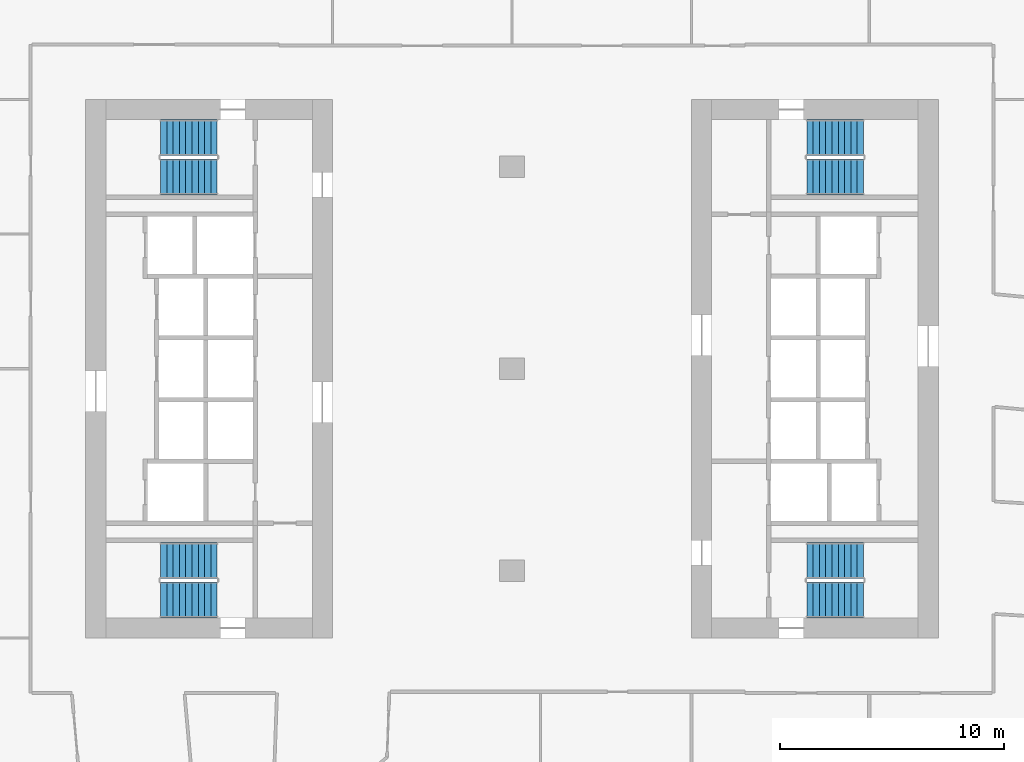
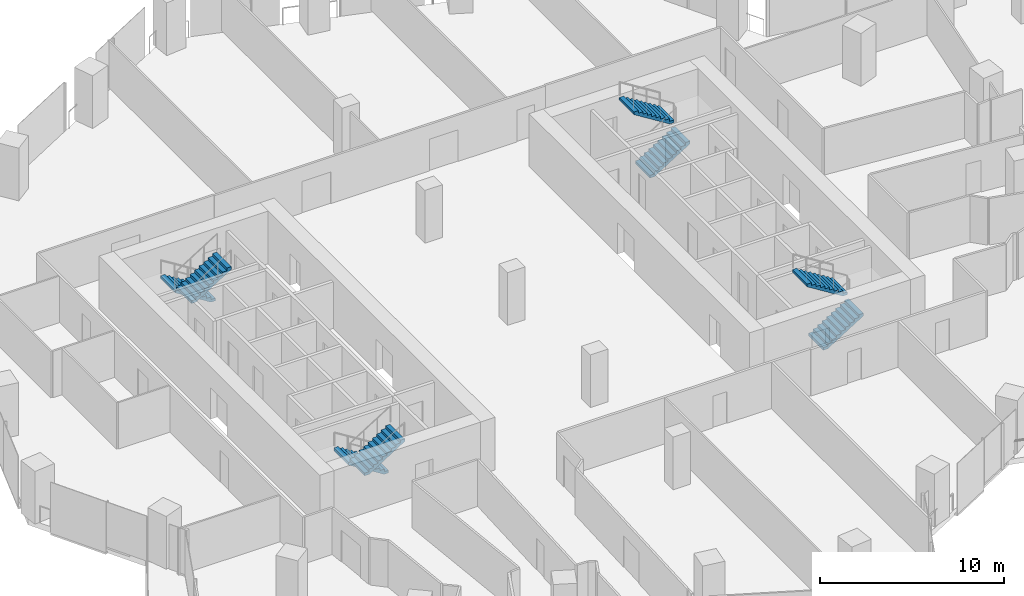
# One storey, part 28 of 32: 8 stair flights, 4 elements without a shape of their own.
"""IFC4 building model written with IfcOpenShell, lengths in metres."""

from ifc_helpers import new_model, si_unit, direction, frame, origin, place, context, subcontext, project, spatial, polyline, outline, extrude, material, type_object, element, aggregate, save


model = new_model("IFC4")

# Units and contexts
model_context = context("Model", 3, precision=1e-05, world=origin(), true_north=direction((0.0, 1.0)))
body_context = subcontext(model_context, "Body", "Model", "MODEL_VIEW")
ifc_project = project(units=[si_unit("LENGTHUNIT", "METRE"), si_unit("AREAUNIT", "SQUARE_METRE"), si_unit("VOLUMEUNIT", "CUBIC_METRE"), si_unit("PLANEANGLEUNIT", "RADIAN"), si_unit("MASSUNIT", "GRAM", prefix="KILO")], contexts=[model_context])

# Site, building, storey
site_placement = place(None, origin())
site = spatial("IfcSite", under=ifc_project, at=site_placement, CompositionType="ELEMENT")
building_placement = place(site_placement, origin())
building = spatial("IfcBuilding", under=site, at=building_placement, Name="Orlundy Tower", CompositionType="ELEMENT")
storey_placement = place(building_placement, frame((0.0, 0.0, 123.699951171875)))
storey = spatial("IfcBuildingStorey", under=building, at=storey_placement, Name="L31", CompositionType="ELEMENT", Elevation=123.699951171875)

# Stair, stair flights
ifc_material_1 = material(Name="Concrete C50/60", Category="concrete")
stair_type = type_object("IfcStairType", Name="Exit Stair 20 risers", PredefinedType="HALF_TURN_STAIR", material=ifc_material_1)
stair_1_placement = place(storey_placement, origin())
stair_1 = element("IfcStair", 1, at=stair_1_placement, inside=storey, type_object=stair_type, Name="L31 Exit Stair ST-W1", PredefinedType="HALF_TURN_STAIR")
ifc_material_2 = material(Name="Concrete C50/60", Category="concrete")
stair_flight_type = type_object("IfcStairFlightType", Name="Stair Flight 10 risers", PredefinedType="STRAIGHT", material=ifc_material_2)
stair_flight_1_placement = place(storey_placement, frame((-13.139892578125, 10.300048828125, 0.0), z_axis=(0.0, 0.0, 1.0), x_axis=(-1.0, 0.0, 0.0)))
stair_flight_1 = element("IfcStairFlight", 2, at=stair_flight_1_placement, type_object=stair_flight_type, Name="ST-W1 flight 1", NumberOfRisers=10, NumberOfTreads=9, PredefinedType="STRAIGHT", RiserHeight=0.175, TreadLength=0.28, context=body_context, shape_type="SweptSolid", body=[
    extrude(outline(polyline([(0.0, 0.0), (0.0, 0.175048828125), (0.280029296875, 0.175048828125), (0.280029296875, 0.35009765625), (0.56005859375, 0.35009765625), (0.56005859375, 0.52490234375), (0.840087890625, 0.52490234375), (0.840087890625, 0.699951171875), (1.1201171875, 0.699951171875), (1.1201171875, 0.875), (1.39990234375, 0.875), (1.39990234375, 1.050048828125), (1.679931640625, 1.050048828125), (1.679931640625, 1.22509765625), (1.9599609375, 1.22509765625), (1.9599609375, 1.39990234375), (2.239990234375, 1.39990234375), (2.239990234375, 1.574951171875), (2.52001953125, 1.574951171875), (2.52001953125, 1.75), (2.52001953125, 1.398193359375), (0.28271484375, 0.0), (0.0, 0.0)])), frame((0.0, 0.800048828125, 0.0), z_axis=(0.0, -1.0, 0.0), x_axis=(1.0, 0.0, 0.0)), (0.0, 0.0, 1.0), 1.60009765625),
])
stair_flight_2_placement = place(storey_placement, frame((-15.659912109375, 8.550048828125, 1.75), z_axis=(0.0, 0.0, 1.0), x_axis=(1.0, 0.0, 0.0)))
stair_flight_2 = element("IfcStairFlight", 3, at=stair_flight_2_placement, type_object=stair_flight_type, Name="ST-W1 flight 2", NumberOfRisers=10, NumberOfTreads=9, PredefinedType="STRAIGHT", RiserHeight=0.175, TreadLength=0.28, context=body_context, shape_type="SweptSolid", body=[
    extrude(outline(polyline([(0.0, 0.0), (0.0, 0.175048828125), (0.280029296875, 0.175048828125), (0.280029296875, 0.35009765625), (0.56005859375, 0.35009765625), (0.56005859375, 0.52490234375), (0.840087890625, 0.52490234375), (0.840087890625, 0.699951171875), (1.1201171875, 0.699951171875), (1.1201171875, 0.875), (1.39990234375, 0.875), (1.39990234375, 1.050048828125), (1.679931640625, 1.050048828125), (1.679931640625, 1.22509765625), (1.9599609375, 1.22509765625), (1.9599609375, 1.39990234375), (2.239990234375, 1.39990234375), (2.239990234375, 1.574951171875), (2.52001953125, 1.574951171875), (2.52001953125, 1.75), (2.52001953125, 1.398193359375), (0.28271484375, 0.0), (0.0, 0.0)])), frame((0.0, 0.800048828125, 0.0), z_axis=(0.0, -1.0, 0.0), x_axis=(1.0, 0.0, 0.0)), (0.0, 0.0, 1.0), 1.60009765625),
])
aggregate(stair_1, [stair_flight_1, stair_flight_2])

stair_2_placement = place(storey_placement, origin())
stair_2 = element("IfcStair", 4, at=stair_2_placement, inside=storey, type_object=stair_type, Name="L31 Exit Stair ST-W2", PredefinedType="HALF_TURN_STAIR")
stair_flight_3_placement = place(storey_placement, frame((-13.139892578125, -8.550048828125, 0.0), z_axis=(0.0, 0.0, 1.0), x_axis=(-1.0, 0.0, 0.0)))
stair_flight_3 = element("IfcStairFlight", 5, at=stair_flight_3_placement, type_object=stair_flight_type, Name="ST-W2 flight 1", NumberOfRisers=10, NumberOfTreads=9, PredefinedType="STRAIGHT", RiserHeight=0.175, TreadLength=0.28, context=body_context, shape_type="SweptSolid", body=[
    extrude(outline(polyline([(0.0, 0.0), (0.0, 0.175048828125), (0.280029296875, 0.175048828125), (0.280029296875, 0.35009765625), (0.56005859375, 0.35009765625), (0.56005859375, 0.52490234375), (0.840087890625, 0.52490234375), (0.840087890625, 0.699951171875), (1.1201171875, 0.699951171875), (1.1201171875, 0.875), (1.39990234375, 0.875), (1.39990234375, 1.050048828125), (1.679931640625, 1.050048828125), (1.679931640625, 1.22509765625), (1.9599609375, 1.22509765625), (1.9599609375, 1.39990234375), (2.239990234375, 1.39990234375), (2.239990234375, 1.574951171875), (2.52001953125, 1.574951171875), (2.52001953125, 1.75), (2.52001953125, 1.398193359375), (0.28271484375, 0.0), (0.0, 0.0)])), frame((0.0, 0.800048828125, 0.0), z_axis=(0.0, -1.0, 0.0), x_axis=(1.0, 0.0, 0.0)), (0.0, 0.0, 1.0), 1.60009765625),
])
stair_flight_4_placement = place(storey_placement, frame((-15.659912109375, -10.300048828125, 1.75), z_axis=(0.0, 0.0, 1.0), x_axis=(1.0, 0.0, 0.0)))
stair_flight_4 = element("IfcStairFlight", 6, at=stair_flight_4_placement, type_object=stair_flight_type, Name="ST-W2 flight 2", NumberOfRisers=10, NumberOfTreads=9, PredefinedType="STRAIGHT", RiserHeight=0.175, TreadLength=0.28, context=body_context, shape_type="SweptSolid", body=[
    extrude(outline(polyline([(0.0, 0.0), (0.0, 0.175048828125), (0.280029296875, 0.175048828125), (0.280029296875, 0.35009765625), (0.56005859375, 0.35009765625), (0.56005859375, 0.52490234375), (0.840087890625, 0.52490234375), (0.840087890625, 0.699951171875), (1.1201171875, 0.699951171875), (1.1201171875, 0.875), (1.39990234375, 0.875), (1.39990234375, 1.050048828125), (1.679931640625, 1.050048828125), (1.679931640625, 1.22509765625), (1.9599609375, 1.22509765625), (1.9599609375, 1.39990234375), (2.239990234375, 1.39990234375), (2.239990234375, 1.574951171875), (2.52001953125, 1.574951171875), (2.52001953125, 1.75), (2.52001953125, 1.398193359375), (0.28271484375, 0.0), (0.0, 0.0)])), frame((0.0, 0.800048828125, 0.0), z_axis=(0.0, -1.0, 0.0), x_axis=(1.0, 0.0, 0.0)), (0.0, 0.0, 1.0), 1.60009765625),
])
aggregate(stair_2, [stair_flight_3, stair_flight_4])

stair_3_placement = place(storey_placement, origin())
stair_3 = element("IfcStair", 7, at=stair_3_placement, inside=storey, type_object=stair_type, Name="L31 Exit Stair ST-E1", PredefinedType="HALF_TURN_STAIR")
stair_flight_5_placement = place(storey_placement, frame((13.139892578125, -10.300048828125, 0.0), z_axis=(0.0, 0.0, 1.0), x_axis=(1.0, 0.0, 0.0)))
stair_flight_5 = element("IfcStairFlight", 8, at=stair_flight_5_placement, type_object=stair_flight_type, Name="ST-E1 flight 1", NumberOfRisers=10, NumberOfTreads=9, PredefinedType="STRAIGHT", RiserHeight=0.175, TreadLength=0.28, context=body_context, shape_type="SweptSolid", body=[
    extrude(outline(polyline([(0.0, 0.0), (0.0, 0.175048828125), (0.280029296875, 0.175048828125), (0.280029296875, 0.35009765625), (0.56005859375, 0.35009765625), (0.56005859375, 0.52490234375), (0.840087890625, 0.52490234375), (0.840087890625, 0.699951171875), (1.1201171875, 0.699951171875), (1.1201171875, 0.875), (1.39990234375, 0.875), (1.39990234375, 1.050048828125), (1.679931640625, 1.050048828125), (1.679931640625, 1.22509765625), (1.9599609375, 1.22509765625), (1.9599609375, 1.39990234375), (2.239990234375, 1.39990234375), (2.239990234375, 1.574951171875), (2.52001953125, 1.574951171875), (2.52001953125, 1.75), (2.52001953125, 1.398193359375), (0.28271484375, 0.0), (0.0, 0.0)])), frame((0.0, 0.800048828125, 0.0), z_axis=(0.0, -1.0, 0.0), x_axis=(1.0, 0.0, 0.0)), (0.0, 0.0, 1.0), 1.60009765625),
])
stair_flight_6_placement = place(storey_placement, frame((15.659912109375, -8.550048828125, 1.75), z_axis=(0.0, 0.0, 1.0), x_axis=(-1.0, 0.0, 0.0)))
stair_flight_6 = element("IfcStairFlight", 9, at=stair_flight_6_placement, type_object=stair_flight_type, Name="ST-E1 flight 2", NumberOfRisers=10, NumberOfTreads=9, PredefinedType="STRAIGHT", RiserHeight=0.175, TreadLength=0.28, context=body_context, shape_type="SweptSolid", body=[
    extrude(outline(polyline([(0.0, 0.0), (0.0, 0.175048828125), (0.280029296875, 0.175048828125), (0.280029296875, 0.35009765625), (0.56005859375, 0.35009765625), (0.56005859375, 0.52490234375), (0.840087890625, 0.52490234375), (0.840087890625, 0.699951171875), (1.1201171875, 0.699951171875), (1.1201171875, 0.875), (1.39990234375, 0.875), (1.39990234375, 1.050048828125), (1.679931640625, 1.050048828125), (1.679931640625, 1.22509765625), (1.9599609375, 1.22509765625), (1.9599609375, 1.39990234375), (2.239990234375, 1.39990234375), (2.239990234375, 1.574951171875), (2.52001953125, 1.574951171875), (2.52001953125, 1.75), (2.52001953125, 1.398193359375), (0.28271484375, 0.0), (0.0, 0.0)])), frame((0.0, 0.800048828125, 0.0), z_axis=(0.0, -1.0, 0.0), x_axis=(1.0, 0.0, 0.0)), (0.0, 0.0, 1.0), 1.60009765625),
])
aggregate(stair_3, [stair_flight_5, stair_flight_6])

stair_4_placement = place(storey_placement, origin())
stair_4 = element("IfcStair", 10, at=stair_4_placement, inside=storey, type_object=stair_type, Name="L31 Exit Stair ST-E2", PredefinedType="HALF_TURN_STAIR")
stair_flight_7_placement = place(storey_placement, frame((13.139892578125, 8.550048828125, 0.0), z_axis=(0.0, 0.0, 1.0), x_axis=(1.0, 0.0, 0.0)))
stair_flight_7 = element("IfcStairFlight", 11, at=stair_flight_7_placement, type_object=stair_flight_type, Name="ST-E2 flight 1", NumberOfRisers=10, NumberOfTreads=9, PredefinedType="STRAIGHT", RiserHeight=0.175, TreadLength=0.28, context=body_context, shape_type="SweptSolid", body=[
    extrude(outline(polyline([(0.0, 0.0), (0.0, 0.175048828125), (0.280029296875, 0.175048828125), (0.280029296875, 0.35009765625), (0.56005859375, 0.35009765625), (0.56005859375, 0.52490234375), (0.840087890625, 0.52490234375), (0.840087890625, 0.699951171875), (1.1201171875, 0.699951171875), (1.1201171875, 0.875), (1.39990234375, 0.875), (1.39990234375, 1.050048828125), (1.679931640625, 1.050048828125), (1.679931640625, 1.22509765625), (1.9599609375, 1.22509765625), (1.9599609375, 1.39990234375), (2.239990234375, 1.39990234375), (2.239990234375, 1.574951171875), (2.52001953125, 1.574951171875), (2.52001953125, 1.75), (2.52001953125, 1.398193359375), (0.28271484375, 0.0), (0.0, 0.0)])), frame((0.0, 0.800048828125, 0.0), z_axis=(0.0, -1.0, 0.0), x_axis=(1.0, 0.0, 0.0)), (0.0, 0.0, 1.0), 1.60009765625),
])
stair_flight_8_placement = place(storey_placement, frame((15.659912109375, 10.300048828125, 1.75), z_axis=(0.0, 0.0, 1.0), x_axis=(-1.0, 0.0, 0.0)))
stair_flight_8 = element("IfcStairFlight", 12, at=stair_flight_8_placement, type_object=stair_flight_type, Name="ST-E2 flight 2", NumberOfRisers=10, NumberOfTreads=9, PredefinedType="STRAIGHT", RiserHeight=0.175, TreadLength=0.28, context=body_context, shape_type="SweptSolid", body=[
    extrude(outline(polyline([(0.0, 0.0), (0.0, 0.175048828125), (0.280029296875, 0.175048828125), (0.280029296875, 0.35009765625), (0.56005859375, 0.35009765625), (0.56005859375, 0.52490234375), (0.840087890625, 0.52490234375), (0.840087890625, 0.699951171875), (1.1201171875, 0.699951171875), (1.1201171875, 0.875), (1.39990234375, 0.875), (1.39990234375, 1.050048828125), (1.679931640625, 1.050048828125), (1.679931640625, 1.22509765625), (1.9599609375, 1.22509765625), (1.9599609375, 1.39990234375), (2.239990234375, 1.39990234375), (2.239990234375, 1.574951171875), (2.52001953125, 1.574951171875), (2.52001953125, 1.75), (2.52001953125, 1.398193359375), (0.28271484375, 0.0), (0.0, 0.0)])), frame((0.0, 0.800048828125, 0.0), z_axis=(0.0, -1.0, 0.0), x_axis=(1.0, 0.0, 0.0)), (0.0, 0.0, 1.0), 1.60009765625),
])
aggregate(stair_4, [stair_flight_7, stair_flight_8])

save(model, "model.ifc")
